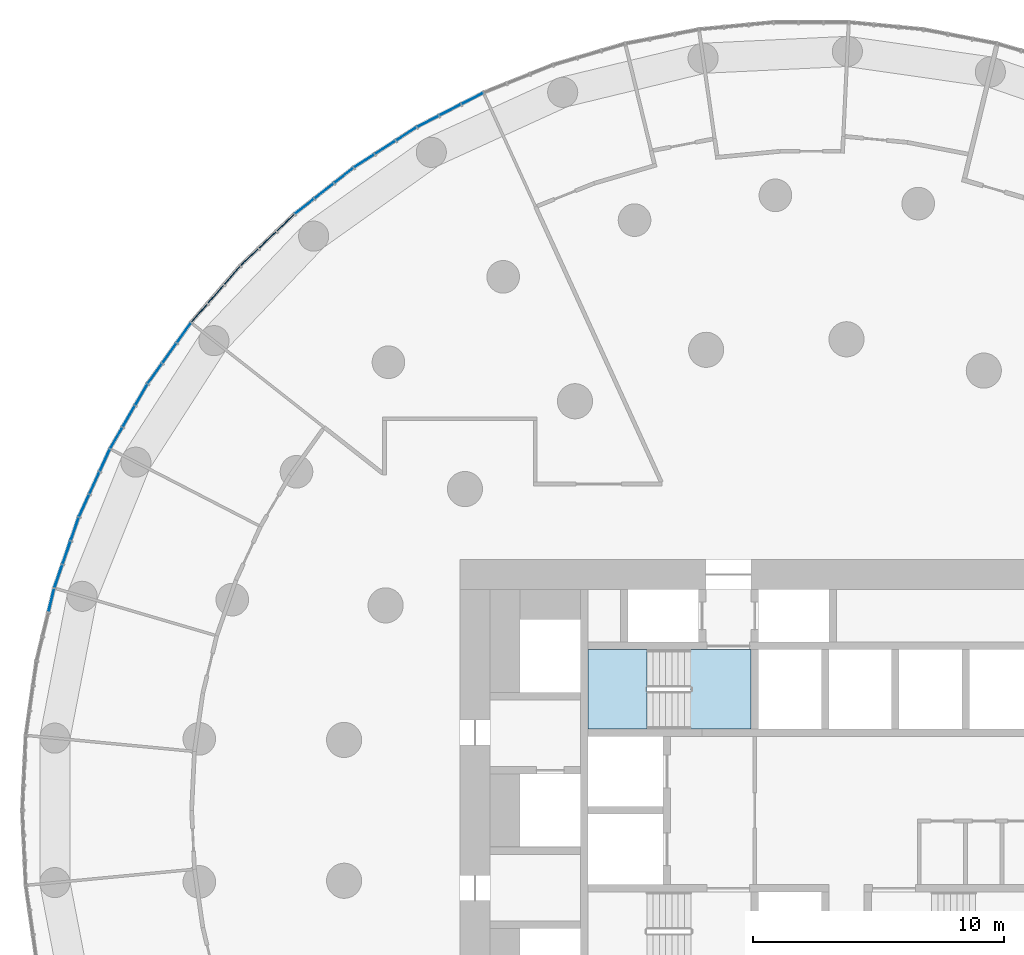
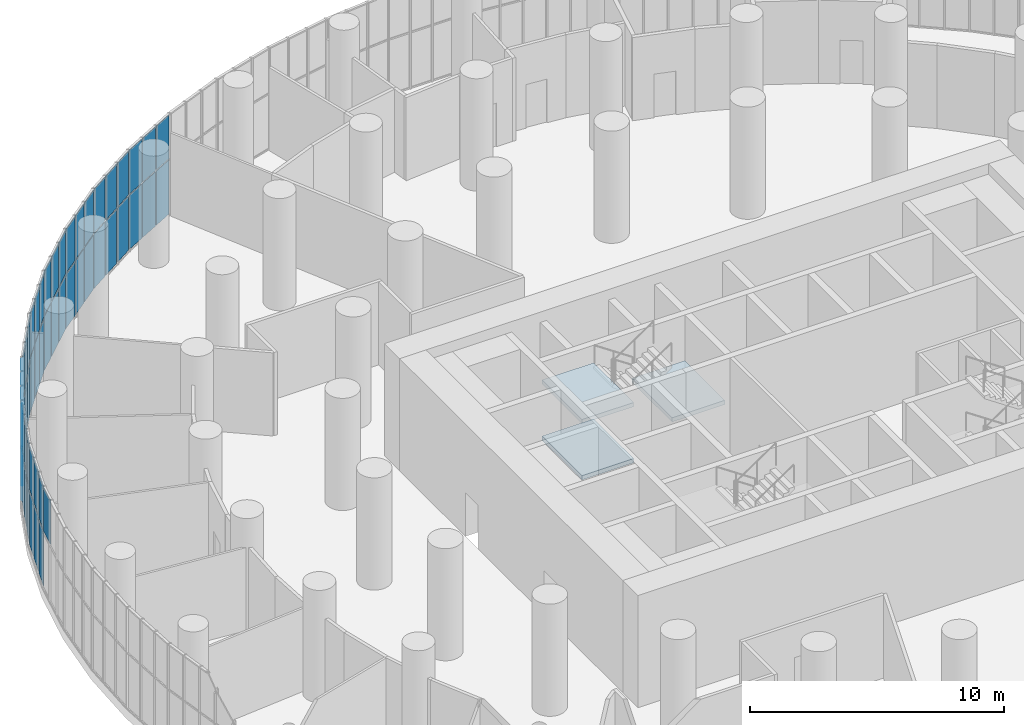
# One storey, part 17 of 27: 55 plates, 3 slabs, 11 elements without a shape of their own.
"""IFC4 building model written with IfcOpenShell, lengths in metres."""

import ifcopenshell
import ifcopenshell.guid

model = None  # the IFC model being written
_history = None  # IfcOwnerHistory: only IFC2X3 demands one
_inside = {}  # id of a spatial element -> (the spatial element, [elements in it])
_under = {}  # id of a project, library or spatial element -> (it, [spatial elements below it])
_declared = {}  # id of a project -> (the project, [libraries it declares])
_typed = {}  # id of a type object -> (the type object, [elements of that type])
_made_of = {}  # id of a material, layer set ... -> (it, [elements and type objects made of it])


def new_model(schema):
    """Start an empty IFC model of exactly this schema.

    Asked for "IFC4X3", IfcOpenShell would pick the latest addendum, in which some entities
    have other attributes; the version numbers below select the first issue.
    IFC2X3 requires an IfcOwnerHistory on every rooted entity: one is made here for all.
    """
    global model, _history
    if schema == "IFC4X3":
        model = ifcopenshell.file(schema_version=(4, 3, 0, 0))
    else:
        model = ifcopenshell.file(schema=schema)
    _inside.clear()
    _under.clear()
    _declared.clear()
    _typed.clear()
    _made_of.clear()
    _history = None
    if model.schema == "IFC2X3":
        org = make("IfcOrganization", Name="unknown")
        user = make(
            "IfcPersonAndOrganization",
            ThePerson=make("IfcPerson", FamilyName="unknown"),
            TheOrganization=org,
        )
        app = make(
            "IfcApplication",
            ApplicationDeveloper=org,
            Version="unknown",
            ApplicationFullName="unknown",
            ApplicationIdentifier="unknown",
        )
        _history = make(
            "IfcOwnerHistory",
            OwningUser=user,
            OwningApplication=app,
            ChangeAction="ADDED",
            CreationDate=0,
        )
    return model


def make(cls, **values):
    """One entity of the class cls with the attributes given. An attribute that is None is left unset."""
    return model.create_entity(
        cls, **{name: value for name, value in values.items() if value is not None}
    )


def rooted(cls, **values):
    """An entity with a GlobalId (a new one), such as an element, a storey or a relation."""
    return make(cls, GlobalId=ifcopenshell.guid.new(), OwnerHistory=_history, **values)


def si_unit(unit_type, name, prefix=None):
    """IfcSIUnit, for example si_unit("LENGTHUNIT", "METRE", prefix="MILLI")."""
    return make("IfcSIUnit", UnitType=unit_type, Prefix=prefix, Name=name)


def assignment(units):
    """IfcUnitAssignment: the units of a project."""
    return None if units is None else make("IfcUnitAssignment", Units=units)


def point(xyz):
    """IfcCartesianPoint."""
    return None if xyz is None else make("IfcCartesianPoint", Coordinates=xyz)


def direction(xyz):
    """IfcDirection."""
    return None if xyz is None else make("IfcDirection", DirectionRatios=xyz)


def frame(location, z_axis=None, x_axis=None):
    """IfcAxis2Placement3D, a coordinate frame: its origin and axes. An axis left out is left unset."""
    return make(
        "IfcAxis2Placement3D",
        Location=point(location),
        Axis=direction(z_axis),
        RefDirection=direction(x_axis),
    )


def frame_2d(location, x_axis=None):
    """IfcAxis2Placement2D, a coordinate frame in the plane: its origin and x axis."""
    return make(
        "IfcAxis2Placement2D", Location=point(location), RefDirection=direction(x_axis)
    )


def origin():
    """The frame at (0, 0, 0) with its axes left unset."""
    return frame((0.0, 0.0, 0.0))


def origin_2d():
    """The frame at (0, 0) in the plane with its x axis left unset."""
    return frame_2d((0.0, 0.0))


def place(relative_to, where):
    """IfcLocalPlacement: puts the frame where relative to a parent placement (None: the world)."""
    return make(
        "IfcLocalPlacement", PlacementRelTo=relative_to, RelativePlacement=where
    )


def context(
    kind, dimensions, precision=None, world=None, true_north=None, identifier=None
):
    """IfcGeometricRepresentationContext, for example the 3D "Model" context."""
    return make(
        "IfcGeometricRepresentationContext",
        ContextIdentifier=identifier,
        ContextType=kind,
        CoordinateSpaceDimension=dimensions,
        Precision=precision,
        WorldCoordinateSystem=world,
        TrueNorth=true_north,
    )


def subcontext(parent, identifier, kind, view, scale=None):
    """IfcGeometricRepresentationSubContext, for example "Body" below "Model"."""
    return make(
        "IfcGeometricRepresentationSubContext",
        ContextIdentifier=identifier,
        ContextType=kind,
        ParentContext=parent,
        TargetScale=scale,
        TargetView=view,
    )


def project(units=None, contexts=None):
    """IfcProject with its units and contexts."""
    return rooted(
        "IfcProject",
        Name="project",
        RepresentationContexts=contexts,
        UnitsInContext=assignment(units),
    )


def spatial(cls, under=None, at=None, **own):
    """A site, building, storey or space (cls), placed at a placement, below another one or the project."""
    s = rooted(cls, ObjectPlacement=at, **own)
    if under is not None:
        _under.setdefault(under.id(), (under, []))[1].append(s)
    return s


def polyline(points):
    """IfcPolyline through the points."""
    return make("IfcPolyline", Points=[point(p) for p in points])


def profile(cls, at=None, kind="AREA", **sizes):
    """A parametric profile (cls). Its sizes go by their IFC names, for example OverallWidth=200.0."""
    return make(cls, ProfileType=kind, Position=at, **sizes)


def rectangle(**sizes):
    """IfcRectangleProfileDef."""
    return profile("IfcRectangleProfileDef", **sizes)


def outline(outer, holes=None, kind="AREA"):
    """IfcArbitraryClosedProfileDef: a profile drawn as a closed curve; with holes, ...WithVoids."""
    if holes is None:
        return make("IfcArbitraryClosedProfileDef", ProfileType=kind, OuterCurve=outer)
    return make(
        "IfcArbitraryProfileDefWithVoids",
        ProfileType=kind,
        OuterCurve=outer,
        InnerCurves=holes,
    )


def extrude(swept, where, along, depth):
    """IfcExtrudedAreaSolid: the profile swept, set in the frame where, extruded along a direction by depth."""
    return make(
        "IfcExtrudedAreaSolid",
        SweptArea=swept,
        Position=where,
        ExtrudedDirection=direction(along),
        Depth=depth,
    )


def shape(context_of_items, identifier, shape_type, items):
    """IfcShapeRepresentation: the items that make up one representation, for example the "Body"."""
    return make(
        "IfcShapeRepresentation",
        ContextOfItems=context_of_items,
        RepresentationIdentifier=identifier,
        RepresentationType=shape_type,
        Items=items,
    )


def material(Name=None, Category=None):
    """IfcMaterial."""
    return make("IfcMaterial", Name=Name, Category=Category)


def layer(
    of_material, thickness, ventilated=None, Name=None, Category=None, Priority=None
):
    """IfcMaterialLayer: one layer of a wall or slab, of a material (None: an air gap)."""
    return make(
        "IfcMaterialLayer",
        Material=of_material,
        LayerThickness=thickness,
        IsVentilated=ventilated,
        Name=Name,
        Category=Category,
        Priority=Priority,
    )


def layer_set(layers, Name=None):
    """IfcMaterialLayerSet."""
    return make("IfcMaterialLayerSet", MaterialLayers=layers, LayerSetName=Name)


def made_of(thing, what):
    """Note that an element or type object is made of a material, layer set ...; save() writes the relation."""
    if what is not None:
        _made_of.setdefault(what.id(), (what, []))[1].append(thing)
    return thing


def type_object(cls, material=None, **own):
    """A type object (cls), such as IfcWallType, which elements share."""
    return made_of(rooted(cls, **own), material)


def element(
    cls,
    number,
    at=None,
    inside=None,
    cuts=None,
    type_object=None,
    material=None,
    context=None,
    identifier="Body",
    shape_type=None,
    held_by="IfcProductDefinitionShape",
    body=None,
    shapes=None,
    **own,
):
    """One element of the class cls, such as IfcWall. Its Tag is "e" and its number.

    at: its placement. inside: the storey or other place that contains it. cuts: it is an
    opening in that element (IfcRelVoidsElement). A single representation is given by context,
    identifier, shape_type and body (its items); several are given by shapes. held_by: the class
    of the entity that holds the representations. save() writes the other relations.
    """
    e = rooted(cls, Tag="e%d" % number, ObjectPlacement=at, **own)
    if body is not None:
        shapes = [shape(context, identifier, shape_type, body)]
    if shapes is not None:
        e.Representation = make(held_by, Representations=shapes)
    if inside is not None:
        _inside.setdefault(inside.id(), (inside, []))[1].append(e)
    if cuts is not None:
        rooted(
            "IfcRelVoidsElement", RelatingBuildingElement=cuts, RelatedOpeningElement=e
        )
    if type_object is not None:
        _typed.setdefault(type_object.id(), (type_object, []))[1].append(e)
    return made_of(e, material)


def aggregate(whole, parts):
    """IfcRelAggregates: a whole, such as a stair, and the parts it consists of."""
    return rooted("IfcRelAggregates", RelatingObject=whole, RelatedObjects=parts)


def save(model, path):
    """Write the relations noted so far, then the file.

    IfcRelAggregates (storeys below a building ...), IfcRelContainedInSpatialStructure (elements
    in a storey), IfcRelDefinesByType, IfcRelAssociatesMaterial and IfcRelDeclares: one each for
    every whole, place, type object, material and project.
    """
    for whole, parts in _under.values():
        aggregate(whole, parts)
    for where, things in _inside.values():
        rooted(
            "IfcRelContainedInSpatialStructure",
            RelatedElements=things,
            RelatingStructure=where,
        )
    for kind, things in _typed.values():
        rooted("IfcRelDefinesByType", RelatedObjects=things, RelatingType=kind)
    for what, things in _made_of.values():
        rooted("IfcRelAssociatesMaterial", RelatedObjects=things, RelatingMaterial=what)
    for by, libraries in _declared.values():
        rooted("IfcRelDeclares", RelatingContext=by, RelatedDefinitions=libraries)
    model.write(path)


model = new_model("IFC4")

# Units and contexts
model_context = context("Model", 3, precision=1e-05, world=origin(), true_north=direction((0.0, 1.0)))
body_context = subcontext(model_context, "Body", "Model", "MODEL_VIEW")
ifc_project = project(units=[si_unit("LENGTHUNIT", "METRE"), si_unit("AREAUNIT", "SQUARE_METRE"), si_unit("VOLUMEUNIT", "CUBIC_METRE"), si_unit("PLANEANGLEUNIT", "RADIAN"), si_unit("MASSUNIT", "GRAM", prefix="KILO")], contexts=[model_context])

# Site, building, storey
site_placement = place(None, origin())
site = spatial("IfcSite", under=ifc_project, at=site_placement, CompositionType="ELEMENT")
building_placement = place(site_placement, origin())
building = spatial("IfcBuilding", under=site, at=building_placement, Name="Tracery Tower", CompositionType="ELEMENT")
storey_placement = place(building_placement, frame((0.0, 0.0, 114.60009765625)))
storey = spatial("IfcBuildingStorey", under=building, at=storey_placement, Name="L29", CompositionType="ELEMENT", Elevation=114.60009765625)

# Curtain wall, plates
ifc_material_1 = material(Name="Aluminium curtain wall with tinted glass", Category="aluminium")
ifc_layer_1 = layer(ifc_material_1, 0.179931640625)
ifc_layer_set_1 = layer_set([ifc_layer_1], Name="Sky lounge 1 tracery curtain wall")
curtain_wall_type = type_object("IfcCurtainWallType", Name="Sky lounge 1 tracery curtain wall", PredefinedType="NOTDEFINED", material=ifc_layer_set_1)
curtain_wall_1_placement = place(storey_placement, origin())
curtain_wall_1 = element("IfcCurtainWall", 1, at=curtain_wall_1_placement, inside=storey, type_object=curtain_wall_type, Name="Sky lounge 1 curtain wall run 22", PredefinedType="NOTDEFINED")
ifc_material_2 = material(Name="Tinted laminated glass", Category="glass")
ifc_layer_2 = layer(ifc_material_2, 0.031982421875)
ifc_layer_set_2 = layer_set([ifc_layer_2], Name="Sky lounge 1 glass panel 32")
plate_type = type_object("IfcPlateType", Name="Sky lounge 1 glass panel 32", PredefinedType="CURTAIN_PANEL", material=ifc_layer_set_2)
plate_1_placement = place(storey_placement, frame((-13.50146484375, 28.365478515625, 0.06005859375), z_axis=(0.0, 0.0, 1.0), x_axis=(-0.888835448653, -0.458226521732, 0.0)))
plate_1 = element("IfcPlate", 2, at=plate_1_placement, type_object=plate_type, Name="Sky lounge 1 curtain wall run 22 glass panel 1", PredefinedType="CURTAIN_PANEL", context=body_context, shape_type="SweptSolid", body=[
    extrude(rectangle(XDim=0.937255859375, YDim=0.031982421875, at=origin_2d()), origin(), (0.0, 0.0, 1.0), 2.610107421875),
])
plate_2_placement = place(storey_placement, frame((-13.50146484375, 28.365478515625, 2.72998046875), z_axis=(0.0, 0.0, 1.0), x_axis=(-0.888835448653, -0.458226521732, 0.0)))
plate_2 = element("IfcPlate", 3, at=plate_2_placement, type_object=plate_type, Name="Sky lounge 1 curtain wall run 22 glass panel 2", PredefinedType="CURTAIN_PANEL", context=body_context, shape_type="SweptSolid", body=[
    extrude(rectangle(XDim=0.937255859375, YDim=0.031982421875, at=origin_2d()), origin(), (0.0, 0.0, 1.0), 2.110107421875),
])
plate_3_placement = place(storey_placement, frame((-14.3876953125, 27.908447265625, 0.06005859375), z_axis=(0.0, 0.0, 1.0), x_axis=(-0.888835448653, -0.458226521732, 0.0)))
plate_3 = element("IfcPlate", 4, at=plate_3_placement, type_object=plate_type, Name="Sky lounge 1 curtain wall run 22 glass panel 3", PredefinedType="CURTAIN_PANEL", context=body_context, shape_type="SweptSolid", body=[
    extrude(rectangle(XDim=0.937255859375, YDim=0.031982421875, at=origin_2d()), origin(), (0.0, 0.0, 1.0), 2.610107421875),
])
plate_4_placement = place(storey_placement, frame((-14.3876953125, 27.908447265625, 2.72998046875), z_axis=(0.0, 0.0, 1.0), x_axis=(-0.888835448653, -0.458226521732, 0.0)))
plate_4 = element("IfcPlate", 5, at=plate_4_placement, type_object=plate_type, Name="Sky lounge 1 curtain wall run 22 glass panel 4", PredefinedType="CURTAIN_PANEL", context=body_context, shape_type="SweptSolid", body=[
    extrude(rectangle(XDim=0.937255859375, YDim=0.031982421875, at=origin_2d()), origin(), (0.0, 0.0, 1.0), 2.110107421875),
])
plate_5_placement = place(storey_placement, frame((-15.274169921875, 27.451416015625, 0.06005859375), z_axis=(0.0, 0.0, 1.0), x_axis=(-0.888835448653, -0.458226521732, 0.0)))
plate_5 = element("IfcPlate", 6, at=plate_5_placement, type_object=plate_type, Name="Sky lounge 1 curtain wall run 22 glass panel 5", PredefinedType="CURTAIN_PANEL", context=body_context, shape_type="SweptSolid", body=[
    extrude(rectangle(XDim=0.937255859375, YDim=0.031982421875, at=origin_2d()), origin(), (0.0, 0.0, 1.0), 2.610107421875),
])
plate_6_placement = place(storey_placement, frame((-15.274169921875, 27.451416015625, 2.72998046875), z_axis=(0.0, 0.0, 1.0), x_axis=(-0.888835448653, -0.458226521732, 0.0)))
plate_6 = element("IfcPlate", 7, at=plate_6_placement, type_object=plate_type, Name="Sky lounge 1 curtain wall run 22 glass panel 6", PredefinedType="CURTAIN_PANEL", context=body_context, shape_type="SweptSolid", body=[
    extrude(rectangle(XDim=0.937255859375, YDim=0.031982421875, at=origin_2d()), origin(), (0.0, 0.0, 1.0), 2.110107421875),
])
aggregate(curtain_wall_1, [plate_1, plate_2, plate_3, plate_4, plate_5, plate_6])

curtain_wall_2_placement = place(storey_placement, origin())
curtain_wall_2 = element("IfcCurtainWall", 8, at=curtain_wall_2_placement, inside=storey, type_object=curtain_wall_type, Name="Sky lounge 1 curtain wall run 23", PredefinedType="NOTDEFINED")
plate_7_placement = place(storey_placement, frame((-16.13671875, 26.95361328125, 0.06005859375), z_axis=(0.0, 0.0, 1.0), x_axis=(-0.841253532834, -0.540640817452, 0.0)))
plate_7 = element("IfcPlate", 9, at=plate_7_placement, type_object=plate_type, Name="Sky lounge 1 curtain wall run 23 glass panel 1", PredefinedType="CURTAIN_PANEL", context=body_context, shape_type="SweptSolid", body=[
    extrude(rectangle(XDim=0.937255859375, YDim=0.031982421875, at=origin_2d()), origin(), (0.0, 0.0, 1.0), 2.610107421875),
])
plate_8_placement = place(storey_placement, frame((-16.13671875, 26.95361328125, 2.72998046875), z_axis=(0.0, 0.0, 1.0), x_axis=(-0.841253532834, -0.540640817452, 0.0)))
plate_8 = element("IfcPlate", 10, at=plate_8_placement, type_object=plate_type, Name="Sky lounge 1 curtain wall run 23 glass panel 2", PredefinedType="CURTAIN_PANEL", context=body_context, shape_type="SweptSolid", body=[
    extrude(rectangle(XDim=0.937255859375, YDim=0.031982421875, at=origin_2d()), origin(), (0.0, 0.0, 1.0), 2.110107421875),
])
plate_9_placement = place(storey_placement, frame((-16.9755859375, 26.41455078125, 0.06005859375), z_axis=(0.0, 0.0, 1.0), x_axis=(-0.841253532834, -0.540640817452, 0.0)))
plate_9 = element("IfcPlate", 11, at=plate_9_placement, type_object=plate_type, Name="Sky lounge 1 curtain wall run 23 glass panel 3", PredefinedType="CURTAIN_PANEL", context=body_context, shape_type="SweptSolid", body=[
    extrude(rectangle(XDim=0.937255859375, YDim=0.031982421875, at=origin_2d()), origin(), (0.0, 0.0, 1.0), 2.610107421875),
])
plate_10_placement = place(storey_placement, frame((-16.9755859375, 26.41455078125, 2.72998046875), z_axis=(0.0, 0.0, 1.0), x_axis=(-0.841253532834, -0.540640817452, 0.0)))
plate_10 = element("IfcPlate", 12, at=plate_10_placement, type_object=plate_type, Name="Sky lounge 1 curtain wall run 23 glass panel 4", PredefinedType="CURTAIN_PANEL", context=body_context, shape_type="SweptSolid", body=[
    extrude(rectangle(XDim=0.937255859375, YDim=0.031982421875, at=origin_2d()), origin(), (0.0, 0.0, 1.0), 2.110107421875),
])
plate_11_placement = place(storey_placement, frame((-17.814453125, 25.875244140625, 0.06005859375), z_axis=(0.0, 0.0, 1.0), x_axis=(-0.841253532834, -0.540640817452, 0.0)))
plate_11 = element("IfcPlate", 13, at=plate_11_placement, type_object=plate_type, Name="Sky lounge 1 curtain wall run 23 glass panel 5", PredefinedType="CURTAIN_PANEL", context=body_context, shape_type="SweptSolid", body=[
    extrude(rectangle(XDim=0.937255859375, YDim=0.031982421875, at=origin_2d()), origin(), (0.0, 0.0, 1.0), 2.610107421875),
])
plate_12_placement = place(storey_placement, frame((-17.814453125, 25.875244140625, 2.72998046875), z_axis=(0.0, 0.0, 1.0), x_axis=(-0.841253532834, -0.540640817452, 0.0)))
plate_12 = element("IfcPlate", 14, at=plate_12_placement, type_object=plate_type, Name="Sky lounge 1 curtain wall run 23 glass panel 6", PredefinedType="CURTAIN_PANEL", context=body_context, shape_type="SweptSolid", body=[
    extrude(rectangle(XDim=0.937255859375, YDim=0.031982421875, at=origin_2d()), origin(), (0.0, 0.0, 1.0), 2.110107421875),
])
aggregate(curtain_wall_2, [plate_7, plate_8, plate_9, plate_10, plate_11, plate_12])

curtain_wall_3_placement = place(storey_placement, origin())
curtain_wall_3 = element("IfcCurtainWall", 15, at=curtain_wall_3_placement, inside=storey, type_object=curtain_wall_type, Name="Sky lounge 1 curtain wall run 24", PredefinedType="NOTDEFINED")
plate_13_placement = place(storey_placement, frame((-18.625732421875, 25.297607421875, 0.06005859375), z_axis=(0.0, 0.0, 1.0), x_axis=(-0.786053094741, -0.618158986223, 0.0)))
plate_13 = element("IfcPlate", 16, at=plate_13_placement, type_object=plate_type, Name="Sky lounge 1 curtain wall run 24 glass panel 1", PredefinedType="CURTAIN_PANEL", context=body_context, shape_type="SweptSolid", body=[
    extrude(rectangle(XDim=0.937255859375, YDim=0.031982421875, at=origin_2d()), origin(), (0.0, 0.0, 1.0), 2.610107421875),
])
plate_14_placement = place(storey_placement, frame((-18.625732421875, 25.297607421875, 2.72998046875), z_axis=(0.0, 0.0, 1.0), x_axis=(-0.786053094741, -0.618158986223, 0.0)))
plate_14 = element("IfcPlate", 17, at=plate_14_placement, type_object=plate_type, Name="Sky lounge 1 curtain wall run 24 glass panel 2", PredefinedType="CURTAIN_PANEL", context=body_context, shape_type="SweptSolid", body=[
    extrude(rectangle(XDim=0.937255859375, YDim=0.031982421875, at=origin_2d()), origin(), (0.0, 0.0, 1.0), 2.110107421875),
])
plate_15_placement = place(storey_placement, frame((-19.409423828125, 24.68115234375, 0.06005859375), z_axis=(0.0, 0.0, 1.0), x_axis=(-0.786053094741, -0.618158986223, 0.0)))
plate_15 = element("IfcPlate", 18, at=plate_15_placement, type_object=plate_type, Name="Sky lounge 1 curtain wall run 24 glass panel 3", PredefinedType="CURTAIN_PANEL", context=body_context, shape_type="SweptSolid", body=[
    extrude(rectangle(XDim=0.937255859375, YDim=0.031982421875, at=origin_2d()), origin(), (0.0, 0.0, 1.0), 2.610107421875),
])
plate_16_placement = place(storey_placement, frame((-19.409423828125, 24.68115234375, 2.72998046875), z_axis=(0.0, 0.0, 1.0), x_axis=(-0.786053094741, -0.618158986223, 0.0)))
plate_16 = element("IfcPlate", 19, at=plate_16_placement, type_object=plate_type, Name="Sky lounge 1 curtain wall run 24 glass panel 4", PredefinedType="CURTAIN_PANEL", context=body_context, shape_type="SweptSolid", body=[
    extrude(rectangle(XDim=0.937255859375, YDim=0.031982421875, at=origin_2d()), origin(), (0.0, 0.0, 1.0), 2.110107421875),
])
plate_17_placement = place(storey_placement, frame((-20.193359375, 24.064697265625, 0.06005859375), z_axis=(0.0, 0.0, 1.0), x_axis=(-0.786053094741, -0.618158986223, 0.0)))
plate_17 = element("IfcPlate", 20, at=plate_17_placement, type_object=plate_type, Name="Sky lounge 1 curtain wall run 24 glass panel 5", PredefinedType="CURTAIN_PANEL", context=body_context, shape_type="SweptSolid", body=[
    extrude(rectangle(XDim=0.937255859375, YDim=0.031982421875, at=origin_2d()), origin(), (0.0, 0.0, 1.0), 2.610107421875),
])
plate_18_placement = place(storey_placement, frame((-20.193359375, 24.064697265625, 2.72998046875), z_axis=(0.0, 0.0, 1.0), x_axis=(-0.786053094741, -0.618158986223, 0.0)))
plate_18 = element("IfcPlate", 21, at=plate_18_placement, type_object=plate_type, Name="Sky lounge 1 curtain wall run 24 glass panel 6", PredefinedType="CURTAIN_PANEL", context=body_context, shape_type="SweptSolid", body=[
    extrude(rectangle(XDim=0.937255859375, YDim=0.031982421875, at=origin_2d()), origin(), (0.0, 0.0, 1.0), 2.110107421875),
])
aggregate(curtain_wall_3, [plate_13, plate_14, plate_15, plate_16, plate_17, plate_18])

curtain_wall_4_placement = place(storey_placement, origin())
curtain_wall_4 = element("IfcCurtainWall", 22, at=curtain_wall_4_placement, inside=storey, type_object=curtain_wall_type, Name="Sky lounge 1 curtain wall run 25", PredefinedType="NOTDEFINED")
plate_19_placement = place(storey_placement, frame((-20.946044921875, 23.41259765625, 0.06005859375), z_axis=(0.0, 0.0, 1.0), x_axis=(-0.723734038109, -0.690079011478, 0.0)))
plate_19 = element("IfcPlate", 23, at=plate_19_placement, type_object=plate_type, Name="Sky lounge 1 curtain wall run 25 glass panel 1", PredefinedType="CURTAIN_PANEL", context=body_context, shape_type="SweptSolid", body=[
    extrude(rectangle(XDim=0.937255859375, YDim=0.031982421875, at=origin_2d()), origin(), (0.0, 0.0, 1.0), 2.610107421875),
])
plate_20_placement = place(storey_placement, frame((-20.946044921875, 23.41259765625, 2.72998046875), z_axis=(0.0, 0.0, 1.0), x_axis=(-0.723734038109, -0.690079011478, 0.0)))
plate_20 = element("IfcPlate", 24, at=plate_20_placement, type_object=plate_type, Name="Sky lounge 1 curtain wall run 25 glass panel 2", PredefinedType="CURTAIN_PANEL", context=body_context, shape_type="SweptSolid", body=[
    extrude(rectangle(XDim=0.937255859375, YDim=0.031982421875, at=origin_2d()), origin(), (0.0, 0.0, 1.0), 2.110107421875),
])
plate_21_placement = place(storey_placement, frame((-21.667724609375, 22.724365234375, 0.06005859375), z_axis=(0.0, 0.0, 1.0), x_axis=(-0.723734038109, -0.690079011478, 0.0)))
plate_21 = element("IfcPlate", 25, at=plate_21_placement, type_object=plate_type, Name="Sky lounge 1 curtain wall run 25 glass panel 3", PredefinedType="CURTAIN_PANEL", context=body_context, shape_type="SweptSolid", body=[
    extrude(rectangle(XDim=0.937255859375, YDim=0.031982421875, at=origin_2d()), origin(), (0.0, 0.0, 1.0), 2.610107421875),
])
plate_22_placement = place(storey_placement, frame((-21.667724609375, 22.724365234375, 2.72998046875), z_axis=(0.0, 0.0, 1.0), x_axis=(-0.723734038109, -0.690079011478, 0.0)))
plate_22 = element("IfcPlate", 26, at=plate_22_placement, type_object=plate_type, Name="Sky lounge 1 curtain wall run 25 glass panel 4", PredefinedType="CURTAIN_PANEL", context=body_context, shape_type="SweptSolid", body=[
    extrude(rectangle(XDim=0.937255859375, YDim=0.031982421875, at=origin_2d()), origin(), (0.0, 0.0, 1.0), 2.110107421875),
])
plate_23_placement = place(storey_placement, frame((-22.389404296875, 22.036376953125, 0.06005859375), z_axis=(0.0, 0.0, 1.0), x_axis=(-0.723734038109, -0.690079011478, 0.0)))
plate_23 = element("IfcPlate", 27, at=plate_23_placement, type_object=plate_type, Name="Sky lounge 1 curtain wall run 25 glass panel 5", PredefinedType="CURTAIN_PANEL", context=body_context, shape_type="SweptSolid", body=[
    extrude(rectangle(XDim=0.937255859375, YDim=0.031982421875, at=origin_2d()), origin(), (0.0, 0.0, 1.0), 2.610107421875),
])
plate_24_placement = place(storey_placement, frame((-22.389404296875, 22.036376953125, 2.72998046875), z_axis=(0.0, 0.0, 1.0), x_axis=(-0.723734038109, -0.690079011478, 0.0)))
plate_24 = element("IfcPlate", 28, at=plate_24_placement, type_object=plate_type, Name="Sky lounge 1 curtain wall run 25 glass panel 6", PredefinedType="CURTAIN_PANEL", context=body_context, shape_type="SweptSolid", body=[
    extrude(rectangle(XDim=0.937255859375, YDim=0.031982421875, at=origin_2d()), origin(), (0.0, 0.0, 1.0), 2.110107421875),
])
aggregate(curtain_wall_4, [plate_19, plate_20, plate_21, plate_22, plate_23, plate_24])

curtain_wall_5_placement = place(storey_placement, origin())
curtain_wall_5 = element("IfcCurtainWall", 29, at=curtain_wall_5_placement, inside=storey, type_object=curtain_wall_type, Name="Sky lounge 1 curtain wall run 26", PredefinedType="NOTDEFINED")
plate_25_placement = place(storey_placement, frame((-23.07666015625, 21.3154296875, 0.06005859375), z_axis=(0.0, 0.0, 1.0), x_axis=(-0.654860733944, -0.755749574355, 0.0)))
plate_25 = element("IfcPlate", 30, at=plate_25_placement, type_object=plate_type, Name="Sky lounge 1 curtain wall run 26 glass panel 1", PredefinedType="CURTAIN_PANEL", context=body_context, shape_type="SweptSolid", body=[
    extrude(rectangle(XDim=0.937255859375, YDim=0.031982421875, at=origin_2d()), origin(), (0.0, 0.0, 1.0), 2.610107421875),
])
plate_26_placement = place(storey_placement, frame((-23.07666015625, 21.3154296875, 2.72998046875), z_axis=(0.0, 0.0, 1.0), x_axis=(-0.654860733944, -0.755749574355, 0.0)))
plate_26 = element("IfcPlate", 31, at=plate_26_placement, type_object=plate_type, Name="Sky lounge 1 curtain wall run 26 glass panel 2", PredefinedType="CURTAIN_PANEL", context=body_context, shape_type="SweptSolid", body=[
    extrude(rectangle(XDim=0.937255859375, YDim=0.031982421875, at=origin_2d()), origin(), (0.0, 0.0, 1.0), 2.110107421875),
])
plate_27_placement = place(storey_placement, frame((-23.729736328125, 20.56201171875, 0.06005859375), z_axis=(0.0, 0.0, 1.0), x_axis=(-0.654860733944, -0.755749574355, 0.0)))
plate_27 = element("IfcPlate", 32, at=plate_27_placement, type_object=plate_type, Name="Sky lounge 1 curtain wall run 26 glass panel 3", PredefinedType="CURTAIN_PANEL", context=body_context, shape_type="SweptSolid", body=[
    extrude(rectangle(XDim=0.937255859375, YDim=0.031982421875, at=origin_2d()), origin(), (0.0, 0.0, 1.0), 2.610107421875),
])
plate_28_placement = place(storey_placement, frame((-23.729736328125, 20.56201171875, 2.72998046875), z_axis=(0.0, 0.0, 1.0), x_axis=(-0.654860733944, -0.755749574355, 0.0)))
plate_28 = element("IfcPlate", 33, at=plate_28_placement, type_object=plate_type, Name="Sky lounge 1 curtain wall run 26 glass panel 4", PredefinedType="CURTAIN_PANEL", context=body_context, shape_type="SweptSolid", body=[
    extrude(rectangle(XDim=0.937255859375, YDim=0.031982421875, at=origin_2d()), origin(), (0.0, 0.0, 1.0), 2.110107421875),
])
plate_29_placement = place(storey_placement, frame((-24.382568359375, 19.808349609375, 0.06005859375), z_axis=(0.0, 0.0, 1.0), x_axis=(-0.654860733944, -0.755749574355, 0.0)))
plate_29 = element("IfcPlate", 34, at=plate_29_placement, type_object=plate_type, Name="Sky lounge 1 curtain wall run 26 glass panel 5", PredefinedType="CURTAIN_PANEL", context=body_context, shape_type="SweptSolid", body=[
    extrude(rectangle(XDim=0.937255859375, YDim=0.031982421875, at=origin_2d()), origin(), (0.0, 0.0, 1.0), 2.610107421875),
])
plate_30_placement = place(storey_placement, frame((-24.382568359375, 19.808349609375, 2.72998046875), z_axis=(0.0, 0.0, 1.0), x_axis=(-0.654860733944, -0.755749574355, 0.0)))
plate_30 = element("IfcPlate", 35, at=plate_30_placement, type_object=plate_type, Name="Sky lounge 1 curtain wall run 26 glass panel 6", PredefinedType="CURTAIN_PANEL", context=body_context, shape_type="SweptSolid", body=[
    extrude(rectangle(XDim=0.937255859375, YDim=0.031982421875, at=origin_2d()), origin(), (0.0, 0.0, 1.0), 2.110107421875),
])
aggregate(curtain_wall_5, [plate_25, plate_26, plate_27, plate_28, plate_29, plate_30])

curtain_wall_6_placement = place(storey_placement, origin())
curtain_wall_6 = element("IfcCurtainWall", 36, at=curtain_wall_6_placement, inside=storey, type_object=curtain_wall_type, Name="Sky lounge 1 curtain wall run 27", PredefinedType="NOTDEFINED")
plate_31_placement = place(storey_placement, frame((-24.998291015625, 19.025390625, 0.06005859375), z_axis=(0.0, 0.0, 1.0), x_axis=(-0.580056909578, -0.814575952046, 0.0)))
plate_31 = element("IfcPlate", 37, at=plate_31_placement, type_object=plate_type, Name="Sky lounge 1 curtain wall run 27 glass panel 1", PredefinedType="CURTAIN_PANEL", context=body_context, shape_type="SweptSolid", body=[
    extrude(rectangle(XDim=0.937255859375, YDim=0.031982421875, at=origin_2d()), origin(), (0.0, 0.0, 1.0), 2.610107421875),
])
plate_32_placement = place(storey_placement, frame((-24.998291015625, 19.025390625, 2.72998046875), z_axis=(0.0, 0.0, 1.0), x_axis=(-0.580056909578, -0.814575952046, 0.0)))
plate_32 = element("IfcPlate", 38, at=plate_32_placement, type_object=plate_type, Name="Sky lounge 1 curtain wall run 27 glass panel 2", PredefinedType="CURTAIN_PANEL", context=body_context, shape_type="SweptSolid", body=[
    extrude(rectangle(XDim=0.937255859375, YDim=0.031982421875, at=origin_2d()), origin(), (0.0, 0.0, 1.0), 2.110107421875),
])
plate_33_placement = place(storey_placement, frame((-25.576904296875, 18.213134765625, 0.06005859375), z_axis=(0.0, 0.0, 1.0), x_axis=(-0.580056909578, -0.814575952046, 0.0)))
plate_33 = element("IfcPlate", 39, at=plate_33_placement, type_object=plate_type, Name="Sky lounge 1 curtain wall run 27 glass panel 3", PredefinedType="CURTAIN_PANEL", context=body_context, shape_type="SweptSolid", body=[
    extrude(rectangle(XDim=0.937255859375, YDim=0.031982421875, at=origin_2d()), origin(), (0.0, 0.0, 1.0), 2.610107421875),
])
plate_34_placement = place(storey_placement, frame((-25.576904296875, 18.213134765625, 2.72998046875), z_axis=(0.0, 0.0, 1.0), x_axis=(-0.580056909578, -0.814575952046, 0.0)))
plate_34 = element("IfcPlate", 40, at=plate_34_placement, type_object=plate_type, Name="Sky lounge 1 curtain wall run 27 glass panel 4", PredefinedType="CURTAIN_PANEL", context=body_context, shape_type="SweptSolid", body=[
    extrude(rectangle(XDim=0.937255859375, YDim=0.031982421875, at=origin_2d()), origin(), (0.0, 0.0, 1.0), 2.110107421875),
])
plate_35_placement = place(storey_placement, frame((-26.1552734375, 17.40087890625, 0.06005859375), z_axis=(0.0, 0.0, 1.0), x_axis=(-0.580056909578, -0.814575952046, 0.0)))
plate_35 = element("IfcPlate", 41, at=plate_35_placement, type_object=plate_type, Name="Sky lounge 1 curtain wall run 27 glass panel 5", PredefinedType="CURTAIN_PANEL", context=body_context, shape_type="SweptSolid", body=[
    extrude(rectangle(XDim=0.937255859375, YDim=0.031982421875, at=origin_2d()), origin(), (0.0, 0.0, 1.0), 2.610107421875),
])
plate_36_placement = place(storey_placement, frame((-26.1552734375, 17.40087890625, 2.72998046875), z_axis=(0.0, 0.0, 1.0), x_axis=(-0.580056909578, -0.814575952046, 0.0)))
plate_36 = element("IfcPlate", 42, at=plate_36_placement, type_object=plate_type, Name="Sky lounge 1 curtain wall run 27 glass panel 6", PredefinedType="CURTAIN_PANEL", context=body_context, shape_type="SweptSolid", body=[
    extrude(rectangle(XDim=0.937255859375, YDim=0.031982421875, at=origin_2d()), origin(), (0.0, 0.0, 1.0), 2.110107421875),
])
aggregate(curtain_wall_6, [plate_31, plate_32, plate_33, plate_34, plate_35, plate_36])

curtain_wall_7_placement = place(storey_placement, origin())
curtain_wall_7 = element("IfcCurtainWall", 43, at=curtain_wall_7_placement, inside=storey, type_object=curtain_wall_type, Name="Sky lounge 1 curtain wall run 28", PredefinedType="NOTDEFINED")
plate_37_placement = place(storey_placement, frame((-26.693603515625, 16.56298828125, 0.06005859375), z_axis=(0.0, 0.0, 1.0), x_axis=(-0.5, -0.866025403784, 0.0)))
plate_37 = element("IfcPlate", 44, at=plate_37_placement, type_object=plate_type, Name="Sky lounge 1 curtain wall run 28 glass panel 1", PredefinedType="CURTAIN_PANEL", context=body_context, shape_type="SweptSolid", body=[
    extrude(rectangle(XDim=0.937255859375, YDim=0.031982421875, at=origin_2d()), origin(), (0.0, 0.0, 1.0), 2.610107421875),
])
plate_38_placement = place(storey_placement, frame((-26.693603515625, 16.56298828125, 2.72998046875), z_axis=(0.0, 0.0, 1.0), x_axis=(-0.5, -0.866025403784, 0.0)))
plate_38 = element("IfcPlate", 45, at=plate_38_placement, type_object=plate_type, Name="Sky lounge 1 curtain wall run 28 glass panel 2", PredefinedType="CURTAIN_PANEL", context=body_context, shape_type="SweptSolid", body=[
    extrude(rectangle(XDim=0.937255859375, YDim=0.031982421875, at=origin_2d()), origin(), (0.0, 0.0, 1.0), 2.110107421875),
])
plate_39_placement = place(storey_placement, frame((-27.192138671875, 15.699462890625, 0.06005859375), z_axis=(0.0, 0.0, 1.0), x_axis=(-0.5, -0.866025403784, 0.0)))
plate_39 = element("IfcPlate", 46, at=plate_39_placement, type_object=plate_type, Name="Sky lounge 1 curtain wall run 28 glass panel 3", PredefinedType="CURTAIN_PANEL", context=body_context, shape_type="SweptSolid", body=[
    extrude(rectangle(XDim=0.937255859375, YDim=0.031982421875, at=origin_2d()), origin(), (0.0, 0.0, 1.0), 2.610107421875),
])
plate_40_placement = place(storey_placement, frame((-27.192138671875, 15.699462890625, 2.72998046875), z_axis=(0.0, 0.0, 1.0), x_axis=(-0.5, -0.866025403784, 0.0)))
plate_40 = element("IfcPlate", 47, at=plate_40_placement, type_object=plate_type, Name="Sky lounge 1 curtain wall run 28 glass panel 4", PredefinedType="CURTAIN_PANEL", context=body_context, shape_type="SweptSolid", body=[
    extrude(rectangle(XDim=0.937255859375, YDim=0.031982421875, at=origin_2d()), origin(), (0.0, 0.0, 1.0), 2.110107421875),
])
plate_41_placement = place(storey_placement, frame((-27.69091796875, 14.8359375, 0.06005859375), z_axis=(0.0, 0.0, 1.0), x_axis=(-0.5, -0.866025403784, 0.0)))
plate_41 = element("IfcPlate", 48, at=plate_41_placement, type_object=plate_type, Name="Sky lounge 1 curtain wall run 28 glass panel 5", PredefinedType="CURTAIN_PANEL", context=body_context, shape_type="SweptSolid", body=[
    extrude(rectangle(XDim=0.937255859375, YDim=0.031982421875, at=origin_2d()), origin(), (0.0, 0.0, 1.0), 2.610107421875),
])
plate_42_placement = place(storey_placement, frame((-27.69091796875, 14.8359375, 2.72998046875), z_axis=(0.0, 0.0, 1.0), x_axis=(-0.5, -0.866025403784, 0.0)))
plate_42 = element("IfcPlate", 49, at=plate_42_placement, type_object=plate_type, Name="Sky lounge 1 curtain wall run 28 glass panel 6", PredefinedType="CURTAIN_PANEL", context=body_context, shape_type="SweptSolid", body=[
    extrude(rectangle(XDim=0.937255859375, YDim=0.031982421875, at=origin_2d()), origin(), (0.0, 0.0, 1.0), 2.110107421875),
])
aggregate(curtain_wall_7, [plate_37, plate_38, plate_39, plate_40, plate_41, plate_42])

curtain_wall_8_placement = place(storey_placement, origin())
curtain_wall_8 = element("IfcCurtainWall", 50, at=curtain_wall_8_placement, inside=storey, type_object=curtain_wall_type, Name="Sky lounge 1 curtain wall run 29", PredefinedType="NOTDEFINED")
plate_43_placement = place(storey_placement, frame((-28.147216796875, 13.95068359375, 0.06005859375), z_axis=(0.0, 0.0, 1.0), x_axis=(-0.415415012995, -0.909631995358, 0.0)))
plate_43 = element("IfcPlate", 51, at=plate_43_placement, type_object=plate_type, Name="Sky lounge 1 curtain wall run 29 glass panel 1", PredefinedType="CURTAIN_PANEL", context=body_context, shape_type="SweptSolid", body=[
    extrude(rectangle(XDim=0.937255859375, YDim=0.031982421875, at=origin_2d()), origin(), (0.0, 0.0, 1.0), 2.610107421875),
])
plate_44_placement = place(storey_placement, frame((-28.147216796875, 13.95068359375, 2.72998046875), z_axis=(0.0, 0.0, 1.0), x_axis=(-0.415415012995, -0.909631995358, 0.0)))
plate_44 = element("IfcPlate", 52, at=plate_44_placement, type_object=plate_type, Name="Sky lounge 1 curtain wall run 29 glass panel 2", PredefinedType="CURTAIN_PANEL", context=body_context, shape_type="SweptSolid", body=[
    extrude(rectangle(XDim=0.937255859375, YDim=0.031982421875, at=origin_2d()), origin(), (0.0, 0.0, 1.0), 2.110107421875),
])
plate_45_placement = place(storey_placement, frame((-28.5615234375, 13.04345703125, 0.06005859375), z_axis=(0.0, 0.0, 1.0), x_axis=(-0.415415012995, -0.909631995358, 0.0)))
plate_45 = element("IfcPlate", 53, at=plate_45_placement, type_object=plate_type, Name="Sky lounge 1 curtain wall run 29 glass panel 3", PredefinedType="CURTAIN_PANEL", context=body_context, shape_type="SweptSolid", body=[
    extrude(rectangle(XDim=0.937255859375, YDim=0.031982421875, at=origin_2d()), origin(), (0.0, 0.0, 1.0), 2.610107421875),
])
plate_46_placement = place(storey_placement, frame((-28.5615234375, 13.04345703125, 2.72998046875), z_axis=(0.0, 0.0, 1.0), x_axis=(-0.415415012995, -0.909631995358, 0.0)))
plate_46 = element("IfcPlate", 54, at=plate_46_placement, type_object=plate_type, Name="Sky lounge 1 curtain wall run 29 glass panel 4", PredefinedType="CURTAIN_PANEL", context=body_context, shape_type="SweptSolid", body=[
    extrude(rectangle(XDim=0.937255859375, YDim=0.031982421875, at=origin_2d()), origin(), (0.0, 0.0, 1.0), 2.110107421875),
])
plate_47_placement = place(storey_placement, frame((-28.9755859375, 12.136474609375, 0.06005859375), z_axis=(0.0, 0.0, 1.0), x_axis=(-0.415415012995, -0.909631995358, 0.0)))
plate_47 = element("IfcPlate", 55, at=plate_47_placement, type_object=plate_type, Name="Sky lounge 1 curtain wall run 29 glass panel 5", PredefinedType="CURTAIN_PANEL", context=body_context, shape_type="SweptSolid", body=[
    extrude(rectangle(XDim=0.937255859375, YDim=0.031982421875, at=origin_2d()), origin(), (0.0, 0.0, 1.0), 2.610107421875),
])
plate_48_placement = place(storey_placement, frame((-28.9755859375, 12.136474609375, 2.72998046875), z_axis=(0.0, 0.0, 1.0), x_axis=(-0.415415012995, -0.909631995358, 0.0)))
plate_48 = element("IfcPlate", 56, at=plate_48_placement, type_object=plate_type, Name="Sky lounge 1 curtain wall run 29 glass panel 6", PredefinedType="CURTAIN_PANEL", context=body_context, shape_type="SweptSolid", body=[
    extrude(rectangle(XDim=0.937255859375, YDim=0.031982421875, at=origin_2d()), origin(), (0.0, 0.0, 1.0), 2.110107421875),
])
aggregate(curtain_wall_8, [plate_43, plate_44, plate_45, plate_46, plate_47, plate_48])

curtain_wall_9_placement = place(storey_placement, origin())
curtain_wall_9 = element("IfcCurtainWall", 57, at=curtain_wall_9_placement, inside=storey, type_object=curtain_wall_type, Name="Sky lounge 1 curtain wall run 30", PredefinedType="NOTDEFINED")
plate_49_placement = place(storey_placement, frame((-29.345947265625, 11.2119140625, 0.06005859375), z_axis=(0.0, 0.0, 1.0), x_axis=(-0.327067963319, -0.945000818714, 0.0)))
plate_49 = element("IfcPlate", 58, at=plate_49_placement, type_object=plate_type, Name="Sky lounge 1 curtain wall run 30 glass panel 1", PredefinedType="CURTAIN_PANEL", context=body_context, shape_type="SweptSolid", body=[
    extrude(rectangle(XDim=0.937255859375, YDim=0.031982421875, at=origin_2d()), origin(), (0.0, 0.0, 1.0), 2.610107421875),
])
plate_50_placement = place(storey_placement, frame((-29.345947265625, 11.2119140625, 2.72998046875), z_axis=(0.0, 0.0, 1.0), x_axis=(-0.327067963319, -0.945000818714, 0.0)))
plate_50 = element("IfcPlate", 59, at=plate_50_placement, type_object=plate_type, Name="Sky lounge 1 curtain wall run 30 glass panel 2", PredefinedType="CURTAIN_PANEL", context=body_context, shape_type="SweptSolid", body=[
    extrude(rectangle(XDim=0.937255859375, YDim=0.031982421875, at=origin_2d()), origin(), (0.0, 0.0, 1.0), 2.110107421875),
])
plate_51_placement = place(storey_placement, frame((-29.671875, 10.26953125, 0.06005859375), z_axis=(0.0, 0.0, 1.0), x_axis=(-0.327067963319, -0.945000818714, 0.0)))
plate_51 = element("IfcPlate", 60, at=plate_51_placement, type_object=plate_type, Name="Sky lounge 1 curtain wall run 30 glass panel 3", PredefinedType="CURTAIN_PANEL", context=body_context, shape_type="SweptSolid", body=[
    extrude(rectangle(XDim=0.937255859375, YDim=0.031982421875, at=origin_2d()), origin(), (0.0, 0.0, 1.0), 2.610107421875),
])
plate_52_placement = place(storey_placement, frame((-29.671875, 10.26953125, 2.72998046875), z_axis=(0.0, 0.0, 1.0), x_axis=(-0.327067963319, -0.945000818714, 0.0)))
plate_52 = element("IfcPlate", 61, at=plate_52_placement, type_object=plate_type, Name="Sky lounge 1 curtain wall run 30 glass panel 4", PredefinedType="CURTAIN_PANEL", context=body_context, shape_type="SweptSolid", body=[
    extrude(rectangle(XDim=0.937255859375, YDim=0.031982421875, at=origin_2d()), origin(), (0.0, 0.0, 1.0), 2.110107421875),
])
plate_53_placement = place(storey_placement, frame((-29.998046875, 9.327392578125, 0.06005859375), z_axis=(0.0, 0.0, 1.0), x_axis=(-0.327067963319, -0.945000818714, 0.0)))
plate_53 = element("IfcPlate", 62, at=plate_53_placement, type_object=plate_type, Name="Sky lounge 1 curtain wall run 30 glass panel 5", PredefinedType="CURTAIN_PANEL", context=body_context, shape_type="SweptSolid", body=[
    extrude(rectangle(XDim=0.937255859375, YDim=0.031982421875, at=origin_2d()), origin(), (0.0, 0.0, 1.0), 2.610107421875),
])
plate_54_placement = place(storey_placement, frame((-29.998046875, 9.327392578125, 2.72998046875), z_axis=(0.0, 0.0, 1.0), x_axis=(-0.327067963319, -0.945000818714, 0.0)))
plate_54 = element("IfcPlate", 63, at=plate_54_placement, type_object=plate_type, Name="Sky lounge 1 curtain wall run 30 glass panel 6", PredefinedType="CURTAIN_PANEL", context=body_context, shape_type="SweptSolid", body=[
    extrude(rectangle(XDim=0.937255859375, YDim=0.031982421875, at=origin_2d()), origin(), (0.0, 0.0, 1.0), 2.110107421875),
])
aggregate(curtain_wall_9, [plate_49, plate_50, plate_51, plate_52, plate_53, plate_54])

# Curtain wall, plate
curtain_wall_10_placement = place(storey_placement, origin())
curtain_wall_10 = element("IfcCurtainWall", 64, at=curtain_wall_10_placement, inside=storey, type_object=curtain_wall_type, Name="Sky lounge 1 curtain wall run 31", PredefinedType="NOTDEFINED")
plate_55_placement = place(storey_placement, frame((-30.27880859375, 8.37158203125, 2.72998046875), z_axis=(0.0, 0.0, 1.0), x_axis=(-0.235758935503, -0.971811568325, 0.0)))
plate_55 = element("IfcPlate", 65, at=plate_55_placement, type_object=plate_type, Name="Sky lounge 1 curtain wall run 31 glass panel 2", PredefinedType="CURTAIN_PANEL", context=body_context, shape_type="SweptSolid", body=[
    extrude(rectangle(XDim=0.937255859375, YDim=0.031982421875, at=origin_2d()), origin(), (0.0, 0.0, 1.0), 2.110107421875),
])
aggregate(curtain_wall_10, [plate_55])

# Stair, slabs
ifc_material_3 = material(Name="Concrete C32/40", Category="concrete")
stair_type = type_object("IfcStairType", Name="Core stair 32 risers", PredefinedType="HALF_TURN_STAIR", material=ifc_material_3)
stair_placement = place(storey_placement, origin())
stair = element("IfcStair", 66, at=stair_placement, inside=storey, type_object=stair_type, Name="L29 stair ST3", PredefinedType="HALF_TURN_STAIR")
ifc_material_4 = material(Name="Concrete C32/40", Category="concrete")
ifc_layer_3 = layer(ifc_material_4, 0.199951171875)
ifc_layer_set_3 = layer_set([ifc_layer_3], Name="Stair landing slab 200")
slab_type = type_object("IfcSlabType", Name="Stair landing slab 200", PredefinedType="LANDING", material=ifc_layer_set_3)
slab_1_placement = place(storey_placement, frame((0.0, 0.0, 1.14990234375)))
slab_1 = element("IfcSlab", 67, at=slab_1_placement, type_object=slab_type, Name="ST3 landing 1", PredefinedType="LANDING", context=body_context, shape_type="SweptSolid", body=[
    extrude(outline(polyline([(-6.54931640625, 6.39990234375), (-8.89990234375, 6.39990234375), (-8.89990234375, 3.25), (-6.54931640625, 3.25), (-6.54931640625, 6.39990234375)])), origin(), (0.0, 0.0, 1.0), 0.199951171875),
])
slab_2_placement = place(storey_placement, frame((0.0, 0.0, 2.5)))
slab_2 = element("IfcSlab", 68, at=slab_2_placement, type_object=slab_type, Name="ST3 landing 2", PredefinedType="LANDING", context=body_context, shape_type="SweptSolid", body=[
    extrude(outline(polyline([(-2.39990234375, 6.39990234375), (-4.800537109375, 6.39990234375), (-4.800537109375, 3.25), (-2.39990234375, 3.25), (-2.39990234375, 6.39990234375)])), origin(), (0.0, 0.0, 1.0), 0.199951171875),
])
slab_3_placement = place(storey_placement, frame((0.0, 0.0, 3.849853515625)))
slab_3 = element("IfcSlab", 69, at=slab_3_placement, type_object=slab_type, Name="ST3 landing 3", PredefinedType="LANDING", context=body_context, shape_type="SweptSolid", body=[
    extrude(outline(polyline([(-6.54931640625, 6.39990234375), (-8.89990234375, 6.39990234375), (-8.89990234375, 3.25), (-6.54931640625, 3.25), (-6.54931640625, 6.39990234375)])), origin(), (0.0, 0.0, 1.0), 0.199951171875),
])
aggregate(stair, [slab_1, slab_2, slab_3])

save(model, "model.ifc")
